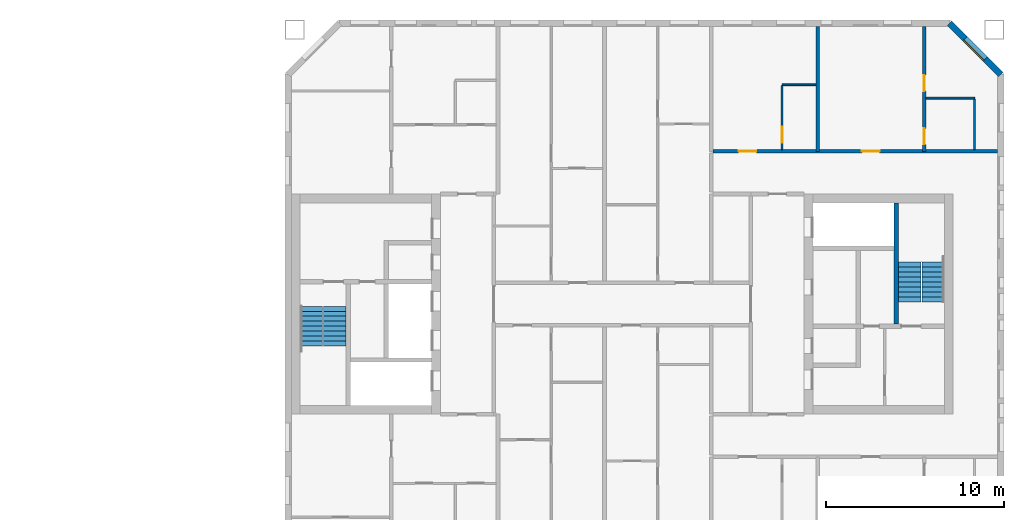
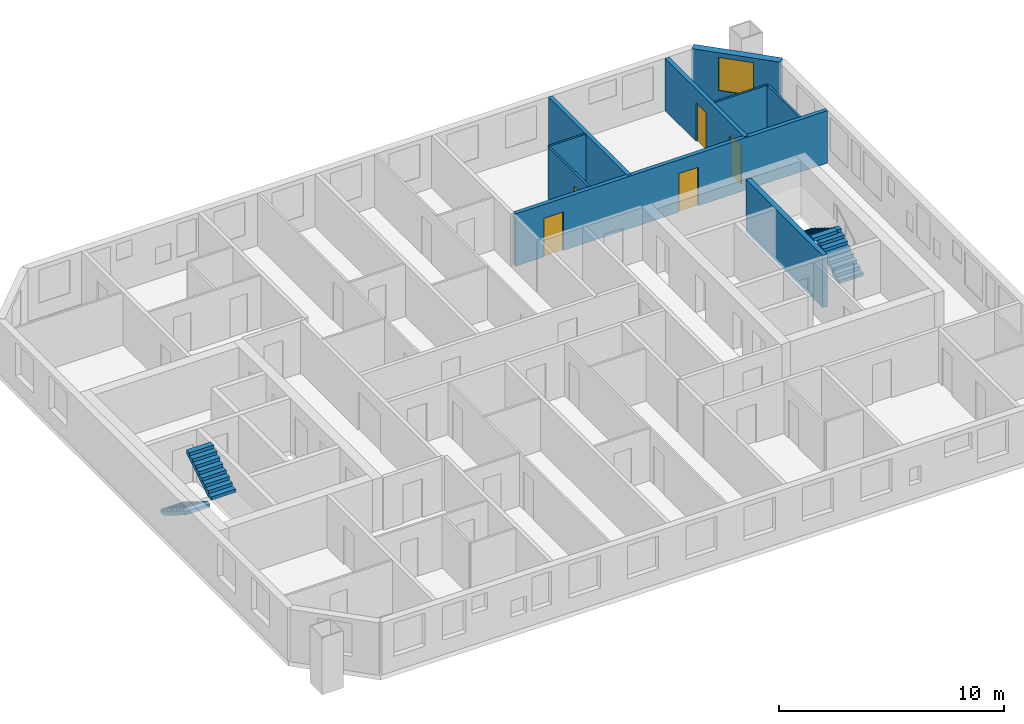
# One storey, part 13 of 15: 9 walls, 5 doors, 4 stair flights, 1 window, 6 openings, 2 elements without a shape of their own.
"""IFC4 building model written with IfcOpenShell, lengths in metres."""

from ifc_helpers import new_model, si_unit, direction, frame, frame_2d, origin, place, context, subcontext, project, spatial, polyline, rectangle, outline, extrude, material, layer, layer_set, type_object, element, fill, aggregate, save


model = new_model("IFC4")

# Units and contexts
model_context = context("Model", 3, precision=1e-05, world=origin(), true_north=direction((0.0, 1.0)))
body_context = subcontext(model_context, "Body", "Model", "MODEL_VIEW")
ifc_project = project(units=[si_unit("LENGTHUNIT", "METRE"), si_unit("AREAUNIT", "SQUARE_METRE"), si_unit("VOLUMEUNIT", "CUBIC_METRE"), si_unit("PLANEANGLEUNIT", "RADIAN"), si_unit("MASSUNIT", "GRAM", prefix="KILO")], contexts=[model_context])

# Site, building, storey
site_placement = place(None, origin())
site = spatial("IfcSite", under=ifc_project, at=site_placement, CompositionType="ELEMENT")
building_placement = place(site_placement, origin())
building = spatial("IfcBuilding", under=site, at=building_placement, Name="Tuart Gate Housing", CompositionType="ELEMENT")
storey_placement = place(building_placement, frame((0.0, 0.0, 154.699951171875)))
storey = spatial("IfcBuildingStorey", under=building, at=storey_placement, Name="L43", CompositionType="ELEMENT", Elevation=154.699951171875)

# Wall, opening, window
ifc_material_1 = material(Name="Brick", Category="masonry")
ifc_layer_1 = layer(ifc_material_1, 0.360107421875)
ifc_layer_set_1 = layer_set([ifc_layer_1], Name="Brick pier and spandrel wall 360")
wall_type_1 = type_object("IfcWallType", Name="Brick pier and spandrel wall 360", PredefinedType="STANDARD", material=ifc_layer_set_1)
wall_1_placement = place(storey_placement, frame((171.320068359375, 82.92529296875, 0.0), z_axis=(0.0, 0.0, 1.0), x_axis=(-0.707106781187, 0.707106781187, 0.0)))
wall_1 = element("IfcWall", 1, at=wall_1_placement, inside=storey, type_object=wall_type_1, Name="External wall B-NE L43", PredefinedType="STANDARD", context=body_context, shape_type="SweptSolid", body=[
    extrude(rectangle(XDim=4.09375, YDim=0.360107421875, at=frame_2d((2.046875, 0.0))), origin(), (0.0, 0.0, 1.0), 2.85009765625),
])
opening_1_placement = place(wall_1_placement, frame((1.2470703125, 0.0, 0.800048828125)))
opening_1 = element("IfcOpeningElement", 2, at=opening_1_placement, cuts=wall_1, Name="Opening W1", PredefinedType="OPENING", context=body_context, shape_type="SweptSolid", body=[
    extrude(rectangle(XDim=1.60009765625, YDim=1.800048828125, at=frame_2d((0.800048828125, 0.89990234375))), frame((0.0, 0.18994140625, 0.0), z_axis=(0.0, -1.0, 0.0), x_axis=(1.0, 0.0, 0.0)), (0.0, 0.0, 1.0), 0.380126953125),
])
ifc_material_2 = material(Name="Aluminium frame with clear glass", Category="aluminium")
window_type = type_object("IfcWindowType", Name="Punched window 1600 x 1800", PartitioningType="SINGLE_PANEL", PredefinedType="WINDOW", material=ifc_material_2)
window_placement = place(opening_1_placement, origin())
window = element("IfcWindow", 3, at=window_placement, inside=storey, type_object=window_type, Name="Window W1", OverallHeight=1.800048828125, OverallWidth=1.60009765625, PartitioningType="SINGLE_PANEL", PredefinedType="WINDOW", context=body_context, shape_type="SweptSolid", body=[
    extrude(rectangle(XDim=1.60009765625, YDim=1.800048828125, at=frame_2d((0.800048828125, 0.89990234375))), frame((0.0, 0.150146484375, 0.0), z_axis=(0.0, -1.0, 0.0), x_axis=(1.0, 0.0, 0.0)), (0.0, 0.0, 1.0), 0.06005859375),
])
fill(opening_1, window)

# Wall
ifc_material_3 = material(Name="Concrete C40", Category="concrete")
ifc_layer_2 = layer(ifc_material_3, 0.25)
ifc_layer_set_2 = layer_set([ifc_layer_2], Name="Core wall 250 C40")
wall_type_2 = type_object("IfcWallType", Name="Core wall 250 C40", PredefinedType="SHEAR", material=ifc_layer_set_2)
wall_2_placement = place(storey_placement, frame((165.43994140625, 75.699951171875, 0.0), z_axis=(0.0, 0.0, 1.0), x_axis=(0.0, -1.0, 0.0)))
element("IfcWall", 4, at=wall_2_placement, inside=storey, type_object=wall_type_2, Name="Core wall BK.7", PredefinedType="SHEAR", context=body_context, shape_type="SweptSolid", body=[
    extrude(rectangle(XDim=6.824951171875, YDim=0.25, at=frame_2d((3.41259765625, 0.0))), origin(), (0.0, 0.0, 1.0), 2.85009765625),
])

# Wall, openings, doors
ifc_material_4 = material(Name="Concrete masonry 15 MPa", Category="masonry")
ifc_layer_3 = layer(ifc_material_4, 0.199951171875)
ifc_layer_set_3 = layer_set([ifc_layer_3], Name="Corridor wall masonry 200")
wall_type_3 = type_object("IfcWallType", Name="Corridor wall masonry 200", PredefinedType="PARTITIONING", material=ifc_layer_set_3)
wall_3_placement = place(storey_placement, frame((155.10009765625, 78.60009765625, 0.0), z_axis=(0.0, 0.0, 1.0), x_axis=(1.0, 0.0, 0.0)))
wall_3 = element("IfcWall", 5, at=wall_3_placement, inside=storey, type_object=wall_type_3, Name="Corridor wall masonry 200", PredefinedType="PARTITIONING", context=body_context, shape_type="SweptSolid", body=[
    extrude(rectangle(XDim=16.039794921875, YDim=0.199951171875, at=frame_2d((8.02001953125, 0.0))), origin(), (0.0, 0.0, 1.0), 2.85009765625),
])
opening_2_placement = place(wall_3_placement, frame((1.449951171875, 0.0, 0.0)))
opening_2 = element("IfcOpeningElement", 6, at=opening_2_placement, cuts=wall_3, Name="Opening D1581", PredefinedType="OPENING", context=body_context, shape_type="SweptSolid", body=[
    extrude(rectangle(XDim=1.0, YDim=2.10009765625, at=frame_2d((0.5, 1.050048828125))), frame((0.0, 0.10986328125, 0.0), z_axis=(0.0, -1.0, 0.0), x_axis=(1.0, 0.0, 0.0)), (0.0, 0.0, 1.0), 0.219970703125),
])
opening_3_placement = place(wall_3_placement, frame((8.39990234375, 0.0, 0.0)))
opening_3 = element("IfcOpeningElement", 7, at=opening_3_placement, cuts=wall_3, Name="Opening D1582", PredefinedType="OPENING", context=body_context, shape_type="SweptSolid", body=[
    extrude(rectangle(XDim=1.0, YDim=2.10009765625, at=frame_2d((0.5, 1.050048828125))), frame((0.0, 0.10986328125, 0.0), z_axis=(0.0, -1.0, 0.0), x_axis=(1.0, 0.0, 0.0)), (0.0, 0.0, 1.0), 0.219970703125),
])
ifc_material_5 = material(Name="Timber door leaf in steel frame", Category="steel")
door_type_1 = type_object("IfcDoorType", Name="Flat entrance door 1000", OperationType="SINGLE_SWING_LEFT", PredefinedType="DOOR", material=ifc_material_5)
door_1_placement = place(opening_3_placement, origin())
door_1 = element("IfcDoor", 8, at=door_1_placement, inside=storey, type_object=door_type_1, Name="Flat entrance door", OperationType="SINGLE_SWING_LEFT", OverallHeight=2.10009765625, OverallWidth=1.0, PredefinedType="DOOR", context=body_context, shape_type="SweptSolid", body=[
    extrude(rectangle(XDim=1.0, YDim=2.10009765625, at=frame_2d((0.5, 1.050048828125))), frame((0.0, 0.02490234375, 0.0), z_axis=(0.0, -1.0, 0.0), x_axis=(1.0, 0.0, 0.0)), (0.0, 0.0, 1.0), 0.050048828125),
])
fill(opening_3, door_1)
ifc_material_6 = material(Name="Timber door leaf in steel frame", Category="steel")
door_type_2 = type_object("IfcDoorType", Name="Flat entrance door 1000 RH", OperationType="SINGLE_SWING_RIGHT", PredefinedType="DOOR", material=ifc_material_6)
door_2_placement = place(opening_2_placement, origin())
door_2 = element("IfcDoor", 9, at=door_2_placement, inside=storey, type_object=door_type_2, Name="Flat entrance door", OperationType="SINGLE_SWING_RIGHT", OverallHeight=2.10009765625, OverallWidth=1.0, PredefinedType="DOOR", context=body_context, shape_type="SweptSolid", body=[
    extrude(rectangle(XDim=1.0, YDim=2.10009765625, at=frame_2d((0.5, 1.050048828125))), frame((0.0, 0.02490234375, 0.0), z_axis=(0.0, -1.0, 0.0), x_axis=(1.0, 0.0, 0.0)), (0.0, 0.0, 1.0), 0.050048828125),
])
fill(opening_2, door_2)

# Walls
ifc_material_7 = material(Name="Gypsum board on steel studs", Category="steel")
ifc_layer_4 = layer(ifc_material_7, 0.10009765625)
ifc_layer_set_4 = layer_set([ifc_layer_4], Name="Partition 100")
wall_type_4 = type_object("IfcWallType", Name="Partition 100", PredefinedType="PARTITIONING", material=ifc_layer_set_4)
wall_4_placement = place(storey_placement, frame((167.10009765625, 81.60009765625, 0.0), z_axis=(0.0, 0.0, 1.0), x_axis=(1.0, 0.0, 0.0)))
element("IfcWall", 10, at=wall_4_placement, inside=storey, type_object=wall_type_4, Name="Partition 100", PredefinedType="PARTITIONING", context=body_context, shape_type="SweptSolid", body=[
    extrude(rectangle(XDim=2.739990234375, YDim=0.10009765625, at=frame_2d((1.3701171875, 0.0))), origin(), (0.0, 0.0, 1.0), 2.85009765625),
])
wall_5_placement = place(storey_placement, frame((159.0, 82.35009765625, 0.0), z_axis=(0.0, 0.0, 1.0), x_axis=(1.0, 0.0, 0.0)))
element("IfcWall", 11, at=wall_5_placement, inside=storey, type_object=wall_type_4, Name="Partition 100", PredefinedType="PARTITIONING", context=body_context, shape_type="SweptSolid", body=[
    extrude(rectangle(XDim=1.89990234375, YDim=0.10009765625, at=frame_2d((0.949951171875, 0.0))), origin(), (0.0, 0.0, 1.0), 2.85009765625),
])

# Wall, opening, door
wall_6_placement = place(storey_placement, frame((159.0, 78.699951171875, 0.0), z_axis=(0.0, 0.0, 1.0), x_axis=(0.0, 1.0, 0.0)))
wall_6 = element("IfcWall", 12, at=wall_6_placement, inside=storey, type_object=wall_type_4, Name="Partition 100", PredefinedType="PARTITIONING", context=body_context, shape_type="SweptSolid", body=[
    extrude(rectangle(XDim=3.60009765625, YDim=0.10009765625, at=frame_2d((1.800048828125, 0.0))), origin(), (0.0, 0.0, 1.0), 2.85009765625),
])
opening_4_placement = place(wall_6_placement, frame((0.39990234375, 0.0, 0.0)))
opening_4 = element("IfcOpeningElement", 13, at=opening_4_placement, cuts=wall_6, Name="Opening D1577", PredefinedType="OPENING", context=body_context, shape_type="SweptSolid", body=[
    extrude(rectangle(XDim=0.89990234375, YDim=2.10009765625, at=frame_2d((0.449951171875, 1.050048828125))), frame((0.0, 0.06005859375, 0.0), z_axis=(0.0, -1.0, 0.0), x_axis=(1.0, 0.0, 0.0)), (0.0, 0.0, 1.0), 0.1201171875),
])
ifc_material_8 = material(Name="Timber door leaf in steel frame", Category="steel")
door_type_3 = type_object("IfcDoorType", Name="Bathroom door 900 RH", OperationType="SINGLE_SWING_RIGHT", PredefinedType="DOOR", material=ifc_material_8)
door_3_placement = place(opening_4_placement, frame((0.89990234375, 0.0, 0.0), z_axis=(0.0, 0.0, 1.0), x_axis=(-1.0, 0.0, 0.0)))
door_3 = element("IfcDoor", 14, at=door_3_placement, inside=storey, type_object=door_type_3, Name="Bathroom door", OperationType="SINGLE_SWING_RIGHT", OverallHeight=2.10009765625, OverallWidth=0.89990234375, PredefinedType="DOOR", context=body_context, shape_type="SweptSolid", body=[
    extrude(rectangle(XDim=0.89990234375, YDim=2.10009765625, at=frame_2d((0.449951171875, 1.050048828125))), frame((0.0, 0.025146484375, 0.0), z_axis=(0.0, -1.0, 0.0), x_axis=(1.0, 0.0, 0.0)), (0.0, 0.0, 1.0), 0.050048828125),
])
fill(opening_4, door_3)

# Walls
wall_7_placement = place(storey_placement, frame((169.840087890625, 78.699951171875, 0.0), z_axis=(0.0, 0.0, 1.0), x_axis=(0.0, 1.0, 0.0)))
element("IfcWall", 15, at=wall_7_placement, inside=storey, type_object=wall_type_4, Name="Partition 100", PredefinedType="PARTITIONING", context=body_context, shape_type="SweptSolid", body=[
    extrude(rectangle(XDim=2.85009765625, YDim=0.10009765625, at=frame_2d((1.425048828125, 0.0))), origin(), (0.0, 0.0, 1.0), 2.85009765625),
])
ifc_material_9 = material(Name="Concrete C40", Category="concrete")
ifc_layer_5 = layer(ifc_material_9, 0.199951171875)
ifc_layer_set_5 = layer_set([ifc_layer_5], Name="Party wall concrete C40 200")
wall_type_5 = type_object("IfcWallType", Name="Party wall concrete C40 200", PredefinedType="SOLIDWALL", material=ifc_layer_set_5)
wall_8_placement = place(storey_placement, frame((161.0, 78.60009765625, 0.0), z_axis=(0.0, 0.0, 1.0), x_axis=(0.0, 1.0, 0.0)))
element("IfcWall", 16, at=wall_8_placement, inside=storey, type_object=wall_type_5, Name="Party wall concrete C40 200", PredefinedType="SOLIDWALL", context=body_context, shape_type="SweptSolid", body=[
    extrude(rectangle(XDim=7.039794921875, YDim=0.199951171875, at=frame_2d((3.52001953125, 0.0))), origin(), (0.0, 0.0, 1.0), 2.85009765625),
])

# Wall, openings, doors
wall_9_placement = place(storey_placement, frame((167.0, 78.60009765625, 0.0), z_axis=(0.0, 0.0, 1.0), x_axis=(0.0, 1.0, 0.0)))
wall_9 = element("IfcWall", 17, at=wall_9_placement, inside=storey, type_object=wall_type_5, Name="Party wall concrete C40 200", PredefinedType="SOLIDWALL", context=body_context, shape_type="SweptSolid", body=[
    extrude(rectangle(XDim=7.039794921875, YDim=0.199951171875, at=frame_2d((3.52001953125, 0.0))), origin(), (0.0, 0.0, 1.0), 2.85009765625),
])
opening_5_placement = place(wall_9_placement, frame((3.39990234375, 0.0, 0.0)))
opening_5 = element("IfcOpeningElement", 18, at=opening_5_placement, cuts=wall_9, Name="Opening D1574", PredefinedType="OPENING", context=body_context, shape_type="SweptSolid", body=[
    extrude(rectangle(XDim=0.89990234375, YDim=2.10009765625, at=frame_2d((0.449951171875, 1.050048828125))), frame((0.0, 0.10986328125, 0.0), z_axis=(0.0, -1.0, 0.0), x_axis=(1.0, 0.0, 0.0)), (0.0, 0.0, 1.0), 0.219970703125),
])
opening_6_placement = place(wall_9_placement, frame((0.39990234375, 0.0, 0.0)))
opening_6 = element("IfcOpeningElement", 19, at=opening_6_placement, cuts=wall_9, Name="Opening D1573", PredefinedType="OPENING", context=body_context, shape_type="SweptSolid", body=[
    extrude(rectangle(XDim=0.89990234375, YDim=2.10009765625, at=frame_2d((0.449951171875, 1.050048828125))), frame((0.0, 0.10986328125, 0.0), z_axis=(0.0, -1.0, 0.0), x_axis=(1.0, 0.0, 0.0)), (0.0, 0.0, 1.0), 0.219970703125),
])
door_4_placement = place(opening_6_placement, frame((0.89990234375, 0.0, 0.0), z_axis=(0.0, 0.0, 1.0), x_axis=(-1.0, 0.0, 0.0)))
door_4 = element("IfcDoor", 20, at=door_4_placement, inside=storey, type_object=door_type_3, Name="Bathroom door", OperationType="SINGLE_SWING_RIGHT", OverallHeight=2.10009765625, OverallWidth=0.89990234375, PredefinedType="DOOR", context=body_context, shape_type="SweptSolid", body=[
    extrude(rectangle(XDim=0.89990234375, YDim=2.10009765625, at=frame_2d((0.449951171875, 1.050048828125))), frame((0.0, 0.025146484375, 0.0), z_axis=(0.0, -1.0, 0.0), x_axis=(1.0, 0.0, 0.0)), (0.0, 0.0, 1.0), 0.050048828125),
])
fill(opening_6, door_4)
ifc_material_10 = material(Name="Timber door leaf in steel frame", Category="steel")
door_type_4 = type_object("IfcDoorType", Name="Internal door 900 RH", OperationType="SINGLE_SWING_RIGHT", PredefinedType="DOOR", material=ifc_material_10)
door_5_placement = place(opening_5_placement, frame((0.89990234375, 0.0, 0.0), z_axis=(0.0, 0.0, 1.0), x_axis=(-1.0, 0.0, 0.0)))
door_5 = element("IfcDoor", 21, at=door_5_placement, inside=storey, type_object=door_type_4, Name="Internal door", OperationType="SINGLE_SWING_RIGHT", OverallHeight=2.10009765625, OverallWidth=0.89990234375, PredefinedType="DOOR", context=body_context, shape_type="SweptSolid", body=[
    extrude(rectangle(XDim=0.89990234375, YDim=2.10009765625, at=frame_2d((0.449951171875, 1.050048828125))), frame((0.0, 0.025146484375, 0.0), z_axis=(0.0, -1.0, 0.0), x_axis=(1.0, 0.0, 0.0)), (0.0, 0.0, 1.0), 0.050048828125),
])
fill(opening_5, door_5)

# Stair, stair flights
ifc_material_11 = material(Name="Concrete C40", Category="concrete")
stair_type = type_object("IfcStairType", Name="Core stair 1250", PredefinedType="HALF_TURN_STAIR", material=ifc_material_11)
stair_1_placement = place(storey_placement, origin())
stair_1 = element("IfcStair", 22, at=stair_1_placement, inside=storey, type_object=stair_type, Name="Stair SB1", PredefinedType="HALF_TURN_STAIR")
ifc_material_12 = material(Name="Concrete C40", Category="concrete")
stair_flight_type = type_object("IfcStairFlightType", Name="Stair flight 1250, 9 risers 172 x 280", PredefinedType="STRAIGHT", material=ifc_material_12)
stair_flight_1_placement = place(storey_placement, frame((132.485107421875, 69.875, 0.0), z_axis=(0.0, 0.0, 1.0), x_axis=(0.0, -1.0, 0.0)))
stair_flight_1 = element("IfcStairFlight", 23, at=stair_flight_1_placement, type_object=stair_flight_type, Name="SB1 flight 1", NumberOfRisers=9, NumberOfTreads=8, PredefinedType="STRAIGHT", RiserHeight=0.172222222, TreadLength=0.28, context=body_context, shape_type="SweptSolid", body=[
    extrude(outline(polyline([(0.0, 0.0), (0.0, 0.172119140625), (0.280029296875, 0.172119140625), (0.280029296875, 0.344482421875), (0.56005859375, 0.344482421875), (0.56005859375, 0.5166015625), (0.840087890625, 0.5166015625), (0.840087890625, 0.68896484375), (1.1201171875, 0.68896484375), (1.1201171875, 0.861083984375), (1.39990234375, 0.861083984375), (1.39990234375, 1.033447265625), (1.679931640625, 1.033447265625), (1.679931640625, 1.20556640625), (1.9599609375, 1.20556640625), (1.9599609375, 1.377685546875), (2.239990234375, 1.377685546875), (2.239990234375, 1.550048828125), (2.239990234375, 1.201904296875), (0.2861328125, 0.0), (0.0, 0.0)])), frame((0.0, 0.625, 0.0), z_axis=(0.0, -1.0, 0.0), x_axis=(1.0, 0.0, 0.0)), (0.0, 0.0, 1.0), 1.25),
])
stair_flight_2_placement = place(storey_placement, frame((133.81005859375, 67.635009765625, 1.550048828125), z_axis=(0.0, 0.0, 1.0), x_axis=(0.0, 1.0, 0.0)))
stair_flight_2 = element("IfcStairFlight", 24, at=stair_flight_2_placement, type_object=stair_flight_type, Name="SB1 flight 2", NumberOfRisers=9, NumberOfTreads=8, PredefinedType="STRAIGHT", RiserHeight=0.172222222, TreadLength=0.28, context=body_context, shape_type="SweptSolid", body=[
    extrude(outline(polyline([(0.0, 0.0), (0.0, 0.172119140625), (0.280029296875, 0.172119140625), (0.280029296875, 0.344482421875), (0.56005859375, 0.344482421875), (0.56005859375, 0.5166015625), (0.840087890625, 0.5166015625), (0.840087890625, 0.68896484375), (1.1201171875, 0.68896484375), (1.1201171875, 0.861083984375), (1.39990234375, 0.861083984375), (1.39990234375, 1.033447265625), (1.679931640625, 1.033447265625), (1.679931640625, 1.20556640625), (1.9599609375, 1.20556640625), (1.9599609375, 1.377685546875), (2.239990234375, 1.377685546875), (2.239990234375, 1.550048828125), (2.239990234375, 1.201904296875), (0.2861328125, 0.0), (0.0, 0.0)])), frame((0.0, 0.625, 0.0), z_axis=(0.0, -1.0, 0.0), x_axis=(1.0, 0.0, 0.0)), (0.0, 0.0, 1.0), 1.25),
])
aggregate(stair_1, [stair_flight_1, stair_flight_2])

stair_2_placement = place(storey_placement, origin())
stair_2 = element("IfcStair", 25, at=stair_2_placement, inside=storey, type_object=stair_type, Name="Stair SB2", PredefinedType="HALF_TURN_STAIR")
stair_flight_3_placement = place(storey_placement, frame((167.514892578125, 70.125, 0.0), z_axis=(0.0, 0.0, 1.0), x_axis=(0.0, 1.0, 0.0)))
stair_flight_3 = element("IfcStairFlight", 26, at=stair_flight_3_placement, type_object=stair_flight_type, Name="SB2 flight 1", NumberOfRisers=9, NumberOfTreads=8, PredefinedType="STRAIGHT", RiserHeight=0.172222222, TreadLength=0.28, context=body_context, shape_type="SweptSolid", body=[
    extrude(outline(polyline([(0.0, 0.0), (0.0, 0.172119140625), (0.280029296875, 0.172119140625), (0.280029296875, 0.344482421875), (0.56005859375, 0.344482421875), (0.56005859375, 0.5166015625), (0.840087890625, 0.5166015625), (0.840087890625, 0.68896484375), (1.1201171875, 0.68896484375), (1.1201171875, 0.861083984375), (1.39990234375, 0.861083984375), (1.39990234375, 1.033447265625), (1.679931640625, 1.033447265625), (1.679931640625, 1.20556640625), (1.9599609375, 1.20556640625), (1.9599609375, 1.377685546875), (2.239990234375, 1.377685546875), (2.239990234375, 1.550048828125), (2.239990234375, 1.201904296875), (0.2861328125, 0.0), (0.0, 0.0)])), frame((0.0, 0.625, 0.0), z_axis=(0.0, -1.0, 0.0), x_axis=(1.0, 0.0, 0.0)), (0.0, 0.0, 1.0), 1.25),
])
stair_flight_4_placement = place(storey_placement, frame((166.18994140625, 72.364990234375, 1.550048828125), z_axis=(0.0, 0.0, 1.0), x_axis=(0.0, -1.0, 0.0)))
stair_flight_4 = element("IfcStairFlight", 27, at=stair_flight_4_placement, type_object=stair_flight_type, Name="SB2 flight 2", NumberOfRisers=9, NumberOfTreads=8, PredefinedType="STRAIGHT", RiserHeight=0.172222222, TreadLength=0.28, context=body_context, shape_type="SweptSolid", body=[
    extrude(outline(polyline([(0.0, 0.0), (0.0, 0.172119140625), (0.280029296875, 0.172119140625), (0.280029296875, 0.344482421875), (0.56005859375, 0.344482421875), (0.56005859375, 0.5166015625), (0.840087890625, 0.5166015625), (0.840087890625, 0.68896484375), (1.1201171875, 0.68896484375), (1.1201171875, 0.861083984375), (1.39990234375, 0.861083984375), (1.39990234375, 1.033447265625), (1.679931640625, 1.033447265625), (1.679931640625, 1.20556640625), (1.9599609375, 1.20556640625), (1.9599609375, 1.377685546875), (2.239990234375, 1.377685546875), (2.239990234375, 1.550048828125), (2.239990234375, 1.201904296875), (0.2861328125, 0.0), (0.0, 0.0)])), frame((0.0, 0.625, 0.0), z_axis=(0.0, -1.0, 0.0), x_axis=(1.0, 0.0, 0.0)), (0.0, 0.0, 1.0), 1.25),
])
aggregate(stair_2, [stair_flight_3, stair_flight_4])

save(model, "model.ifc")
